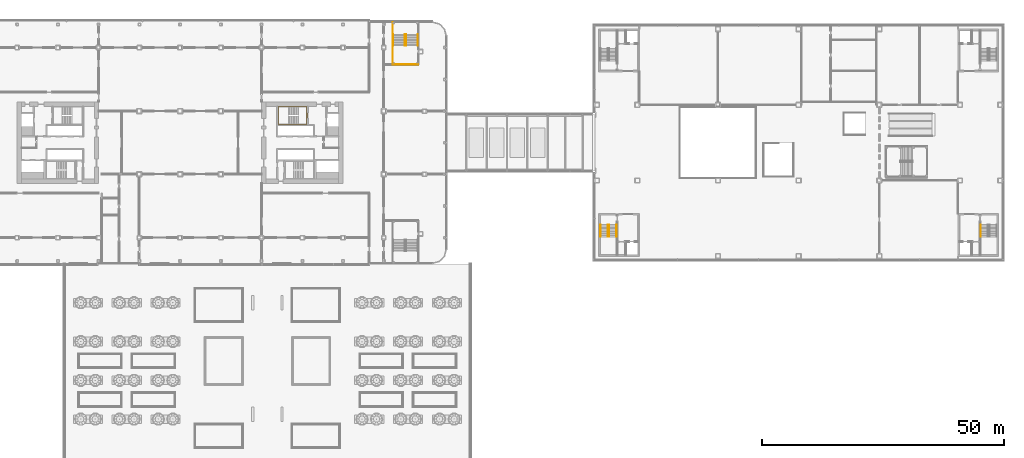
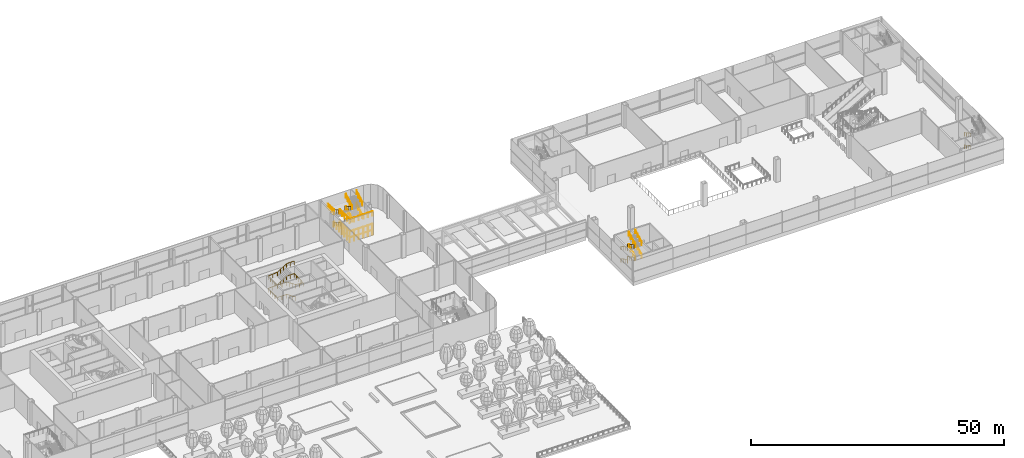
# One storey, part 89 of 100: 25 railings.
"""IFC4 building model written with IfcOpenShell, lengths in metres."""

import ifcopenshell
import ifcopenshell.guid

model = None  # the IFC model being written
_history = None  # IfcOwnerHistory: only IFC2X3 demands one
_inside = {}  # id of a spatial element -> (the spatial element, [elements in it])
_under = {}  # id of a project, library or spatial element -> (it, [spatial elements below it])
_declared = {}  # id of a project -> (the project, [libraries it declares])
_typed = {}  # id of a type object -> (the type object, [elements of that type])
_made_of = {}  # id of a material, layer set ... -> (it, [elements and type objects made of it])


def new_model(schema):
    """Start an empty IFC model of exactly this schema.

    Asked for "IFC4X3", IfcOpenShell would pick the latest addendum, in which some entities
    have other attributes; the version numbers below select the first issue.
    IFC2X3 requires an IfcOwnerHistory on every rooted entity: one is made here for all.
    """
    global model, _history
    if schema == "IFC4X3":
        model = ifcopenshell.file(schema_version=(4, 3, 0, 0))
    else:
        model = ifcopenshell.file(schema=schema)
    _inside.clear()
    _under.clear()
    _declared.clear()
    _typed.clear()
    _made_of.clear()
    _history = None
    if model.schema == "IFC2X3":
        org = make("IfcOrganization", Name="unknown")
        user = make(
            "IfcPersonAndOrganization",
            ThePerson=make("IfcPerson", FamilyName="unknown"),
            TheOrganization=org,
        )
        app = make(
            "IfcApplication",
            ApplicationDeveloper=org,
            Version="unknown",
            ApplicationFullName="unknown",
            ApplicationIdentifier="unknown",
        )
        _history = make(
            "IfcOwnerHistory",
            OwningUser=user,
            OwningApplication=app,
            ChangeAction="ADDED",
            CreationDate=0,
        )
    return model


def make(cls, **values):
    """One entity of the class cls with the attributes given. An attribute that is None is left unset."""
    return model.create_entity(
        cls, **{name: value for name, value in values.items() if value is not None}
    )


def rooted(cls, **values):
    """An entity with a GlobalId (a new one), such as an element, a storey or a relation."""
    return make(cls, GlobalId=ifcopenshell.guid.new(), OwnerHistory=_history, **values)


def si_unit(unit_type, name, prefix=None):
    """IfcSIUnit, for example si_unit("LENGTHUNIT", "METRE", prefix="MILLI")."""
    return make("IfcSIUnit", UnitType=unit_type, Prefix=prefix, Name=name)


def assignment(units):
    """IfcUnitAssignment: the units of a project."""
    return None if units is None else make("IfcUnitAssignment", Units=units)


def point(xyz):
    """IfcCartesianPoint."""
    return None if xyz is None else make("IfcCartesianPoint", Coordinates=xyz)


def direction(xyz):
    """IfcDirection."""
    return None if xyz is None else make("IfcDirection", DirectionRatios=xyz)


def frame(location, z_axis=None, x_axis=None):
    """IfcAxis2Placement3D, a coordinate frame: its origin and axes. An axis left out is left unset."""
    return make(
        "IfcAxis2Placement3D",
        Location=point(location),
        Axis=direction(z_axis),
        RefDirection=direction(x_axis),
    )


def frame_2d(location, x_axis=None):
    """IfcAxis2Placement2D, a coordinate frame in the plane: its origin and x axis."""
    return make(
        "IfcAxis2Placement2D", Location=point(location), RefDirection=direction(x_axis)
    )


def origin():
    """The frame at (0, 0, 0) with its axes left unset."""
    return frame((0.0, 0.0, 0.0))


def origin_2d():
    """The frame at (0, 0) in the plane with its x axis left unset."""
    return frame_2d((0.0, 0.0))


def place(relative_to, where):
    """IfcLocalPlacement: puts the frame where relative to a parent placement (None: the world)."""
    return make(
        "IfcLocalPlacement", PlacementRelTo=relative_to, RelativePlacement=where
    )


def context(
    kind, dimensions, precision=None, world=None, true_north=None, identifier=None
):
    """IfcGeometricRepresentationContext, for example the 3D "Model" context."""
    return make(
        "IfcGeometricRepresentationContext",
        ContextIdentifier=identifier,
        ContextType=kind,
        CoordinateSpaceDimension=dimensions,
        Precision=precision,
        WorldCoordinateSystem=world,
        TrueNorth=true_north,
    )


def subcontext(parent, identifier, kind, view, scale=None):
    """IfcGeometricRepresentationSubContext, for example "Body" below "Model"."""
    return make(
        "IfcGeometricRepresentationSubContext",
        ContextIdentifier=identifier,
        ContextType=kind,
        ParentContext=parent,
        TargetScale=scale,
        TargetView=view,
    )


def project(units=None, contexts=None):
    """IfcProject with its units and contexts."""
    return rooted(
        "IfcProject",
        Name="project",
        RepresentationContexts=contexts,
        UnitsInContext=assignment(units),
    )


def spatial(cls, under=None, at=None, **own):
    """A site, building, storey or space (cls), placed at a placement, below another one or the project."""
    s = rooted(cls, ObjectPlacement=at, **own)
    if under is not None:
        _under.setdefault(under.id(), (under, []))[1].append(s)
    return s


def profile(cls, at=None, kind="AREA", **sizes):
    """A parametric profile (cls). Its sizes go by their IFC names, for example OverallWidth=200.0."""
    return make(cls, ProfileType=kind, Position=at, **sizes)


def circle(**sizes):
    """IfcCircleProfileDef."""
    return profile("IfcCircleProfileDef", **sizes)


def extrude(swept, where, along, depth):
    """IfcExtrudedAreaSolid: the profile swept, set in the frame where, extruded along a direction by depth."""
    return make(
        "IfcExtrudedAreaSolid",
        SweptArea=swept,
        Position=where,
        ExtrudedDirection=direction(along),
        Depth=depth,
    )


def shape(context_of_items, identifier, shape_type, items):
    """IfcShapeRepresentation: the items that make up one representation, for example the "Body"."""
    return make(
        "IfcShapeRepresentation",
        ContextOfItems=context_of_items,
        RepresentationIdentifier=identifier,
        RepresentationType=shape_type,
        Items=items,
    )


def material(Name=None, Category=None):
    """IfcMaterial."""
    return make("IfcMaterial", Name=Name, Category=Category)


def made_of(thing, what):
    """Note that an element or type object is made of a material, layer set ...; save() writes the relation."""
    if what is not None:
        _made_of.setdefault(what.id(), (what, []))[1].append(thing)
    return thing


def type_object(cls, material=None, **own):
    """A type object (cls), such as IfcWallType, which elements share."""
    return made_of(rooted(cls, **own), material)


def element(
    cls,
    number,
    at=None,
    inside=None,
    cuts=None,
    type_object=None,
    material=None,
    context=None,
    identifier="Body",
    shape_type=None,
    held_by="IfcProductDefinitionShape",
    body=None,
    shapes=None,
    **own,
):
    """One element of the class cls, such as IfcWall. Its Tag is "e" and its number.

    at: its placement. inside: the storey or other place that contains it. cuts: it is an
    opening in that element (IfcRelVoidsElement). A single representation is given by context,
    identifier, shape_type and body (its items); several are given by shapes. held_by: the class
    of the entity that holds the representations. save() writes the other relations.
    """
    e = rooted(cls, Tag="e%d" % number, ObjectPlacement=at, **own)
    if body is not None:
        shapes = [shape(context, identifier, shape_type, body)]
    if shapes is not None:
        e.Representation = make(held_by, Representations=shapes)
    if inside is not None:
        _inside.setdefault(inside.id(), (inside, []))[1].append(e)
    if cuts is not None:
        rooted(
            "IfcRelVoidsElement", RelatingBuildingElement=cuts, RelatedOpeningElement=e
        )
    if type_object is not None:
        _typed.setdefault(type_object.id(), (type_object, []))[1].append(e)
    return made_of(e, material)


def aggregate(whole, parts):
    """IfcRelAggregates: a whole, such as a stair, and the parts it consists of."""
    return rooted("IfcRelAggregates", RelatingObject=whole, RelatedObjects=parts)


def save(model, path):
    """Write the relations noted so far, then the file.

    IfcRelAggregates (storeys below a building ...), IfcRelContainedInSpatialStructure (elements
    in a storey), IfcRelDefinesByType, IfcRelAssociatesMaterial and IfcRelDeclares: one each for
    every whole, place, type object, material and project.
    """
    for whole, parts in _under.values():
        aggregate(whole, parts)
    for where, things in _inside.values():
        rooted(
            "IfcRelContainedInSpatialStructure",
            RelatedElements=things,
            RelatingStructure=where,
        )
    for kind, things in _typed.values():
        rooted("IfcRelDefinesByType", RelatedObjects=things, RelatingType=kind)
    for what, things in _made_of.values():
        rooted("IfcRelAssociatesMaterial", RelatedObjects=things, RelatingMaterial=what)
    for by, libraries in _declared.values():
        rooted("IfcRelDeclares", RelatingContext=by, RelatedDefinitions=libraries)
    model.write(path)


model = new_model("IFC4")

# Units and contexts
model_context = context("Model", 3, precision=1e-05, world=origin(), true_north=direction((0.0, 1.0)))
body_context = subcontext(model_context, "Body", "Model", "MODEL_VIEW")
ifc_project = project(units=[si_unit("LENGTHUNIT", "METRE"), si_unit("AREAUNIT", "SQUARE_METRE"), si_unit("VOLUMEUNIT", "CUBIC_METRE"), si_unit("PLANEANGLEUNIT", "RADIAN"), si_unit("MASSUNIT", "GRAM", prefix="KILO")], contexts=[model_context])

# Site, building, storey
site_placement = place(None, origin())
site = spatial("IfcSite", under=ifc_project, at=site_placement, CompositionType="ELEMENT")
building_placement = place(site_placement, origin())
building = spatial("IfcBuilding", under=site, at=building_placement, Name="Hakoniwa Tower and Hamabe Station Hall", CompositionType="ELEMENT")
storey_placement = place(building_placement, frame((0.0, 0.0, 9.0)))
storey = spatial("IfcBuildingStorey", under=building, at=storey_placement, Name="L02", CompositionType="ELEMENT", Elevation=9.0)

# Railings
ifc_material_1 = material(Name="Stainless steel and glass", Category="steel")
railing_type_1 = type_object("IfcRailingType", Name="GUARD 1100", PredefinedType="GUARDRAIL", material=ifc_material_1)
railing_1_placement = place(storey_placement, frame((43.85009765625, 20.010009765625, 1.5)))
element("IfcRailing", 1, at=railing_1_placement, inside=storey, type_object=railing_type_1, Name="Guard at landing PS2 1", PredefinedType="GUARDRAIL", context=body_context, shape_type="SweptSolid", body=[
    extrude(circle(Radius=0.02392578125, at=origin_2d()), frame((0.0, 0.0, 1.076171875), z_axis=(0.0, -1.0, 0.0), x_axis=(1.0, 0.0, 0.0)), (0.0, 0.0, 1.0), 3.860107421875),
    extrude(circle(Radius=0.02099609375, at=origin_2d()), origin(), (0.0, 0.0, 1.0), 1.052001953125),
    extrude(circle(Radius=0.02099609375, at=origin_2d()), frame((0.0, -0.965087890625, 0.0)), (0.0, 0.0, 1.0), 1.052001953125),
    extrude(circle(Radius=0.02099609375, at=origin_2d()), frame((0.0, -1.93017578125, 0.0)), (0.0, 0.0, 1.0), 1.052001953125),
    extrude(circle(Radius=0.02099609375, at=origin_2d()), frame((0.0, -2.89501953125, 0.0)), (0.0, 0.0, 1.0), 1.052001953125),
    extrude(circle(Radius=0.02099609375, at=origin_2d()), frame((0.0, -3.860107421875, 0.0)), (0.0, 0.0, 1.0), 1.052001953125),
])
railing_2_placement = place(storey_placement, frame((43.85009765625, 16.14990234375, 1.5)))
element("IfcRailing", 2, at=railing_2_placement, inside=storey, type_object=railing_type_1, Name="Guard at landing PS2 2", PredefinedType="GUARDRAIL", context=body_context, shape_type="SweptSolid", body=[
    extrude(circle(Radius=0.02392578125, at=origin_2d()), frame((0.0, 0.0, 1.076171875), z_axis=(1.0, 0.0, 0.0), x_axis=(0.0, 1.0, 0.0)), (0.0, 0.0, 1.0), 5.199951171875),
    extrude(circle(Radius=0.02099609375, at=origin_2d()), origin(), (0.0, 0.0, 1.0), 1.052001953125),
    extrude(circle(Radius=0.02099609375, at=origin_2d()), frame((1.0400390625, 0.0, 0.0)), (0.0, 0.0, 1.0), 1.052001953125),
    extrude(circle(Radius=0.02099609375, at=origin_2d()), frame((2.080078125, 0.0, 0.0)), (0.0, 0.0, 1.0), 1.052001953125),
    extrude(circle(Radius=0.02099609375, at=origin_2d()), frame((3.119873046875, 0.0, 0.0)), (0.0, 0.0, 1.0), 1.052001953125),
    extrude(circle(Radius=0.02099609375, at=origin_2d()), frame((4.159912109375, 0.0, 0.0)), (0.0, 0.0, 1.0), 1.052001953125),
    extrude(circle(Radius=0.02099609375, at=origin_2d()), frame((5.199951171875, 0.0, 0.0)), (0.0, 0.0, 1.0), 1.052001953125),
])
railing_3_placement = place(storey_placement, frame((43.85009765625, 24.85009765625, 3.0)))
element("IfcRailing", 3, at=railing_3_placement, inside=storey, type_object=railing_type_1, Name="Guard at landing PS2 3", PredefinedType="GUARDRAIL", context=body_context, shape_type="SweptSolid", body=[
    extrude(circle(Radius=0.02392578125, at=origin_2d()), frame((0.0, 0.0, 1.076171875), z_axis=(0.0, -1.0, 0.0), x_axis=(1.0, 0.0, 0.0)), (0.0, 0.0, 1.0), 2.5),
    extrude(circle(Radius=0.02099609375, at=origin_2d()), origin(), (0.0, 0.0, 1.0), 1.052001953125),
    extrude(circle(Radius=0.02099609375, at=origin_2d()), frame((0.0, -0.833251953125, 0.0)), (0.0, 0.0, 1.0), 1.052001953125),
    extrude(circle(Radius=0.02099609375, at=origin_2d()), frame((0.0, -1.666748046875, 0.0)), (0.0, 0.0, 1.0), 1.052001953125),
    extrude(circle(Radius=0.02099609375, at=origin_2d()), frame((0.0, -2.5, 0.0)), (0.0, 0.0, 1.0), 1.052001953125),
])
railing_4_placement = place(storey_placement, frame((43.85009765625, 20.010009765625, 4.5)))
element("IfcRailing", 4, at=railing_4_placement, inside=storey, type_object=railing_type_1, Name="Guard at landing PS2 4", PredefinedType="GUARDRAIL", context=body_context, shape_type="SweptSolid", body=[
    extrude(circle(Radius=0.02392578125, at=origin_2d()), frame((0.0, 0.0, 1.076171875), z_axis=(0.0, -1.0, 0.0), x_axis=(1.0, 0.0, 0.0)), (0.0, 0.0, 1.0), 3.860107421875),
    extrude(circle(Radius=0.02099609375, at=origin_2d()), origin(), (0.0, 0.0, 1.0), 1.052001953125),
    extrude(circle(Radius=0.02099609375, at=origin_2d()), frame((0.0, -0.965087890625, 0.0)), (0.0, 0.0, 1.0), 1.052001953125),
    extrude(circle(Radius=0.02099609375, at=origin_2d()), frame((0.0, -1.93017578125, 0.0)), (0.0, 0.0, 1.0), 1.052001953125),
    extrude(circle(Radius=0.02099609375, at=origin_2d()), frame((0.0, -2.89501953125, 0.0)), (0.0, 0.0, 1.0), 1.052001953125),
    extrude(circle(Radius=0.02099609375, at=origin_2d()), frame((0.0, -3.860107421875, 0.0)), (0.0, 0.0, 1.0), 1.052001953125),
])
railing_5_placement = place(storey_placement, frame((43.85009765625, 16.14990234375, 4.5)))
element("IfcRailing", 5, at=railing_5_placement, inside=storey, type_object=railing_type_1, Name="Guard at landing PS2 5", PredefinedType="GUARDRAIL", context=body_context, shape_type="SweptSolid", body=[
    extrude(circle(Radius=0.02392578125, at=origin_2d()), frame((0.0, 0.0, 1.076171875), z_axis=(1.0, 0.0, 0.0), x_axis=(0.0, 1.0, 0.0)), (0.0, 0.0, 1.0), 5.199951171875),
    extrude(circle(Radius=0.02099609375, at=origin_2d()), origin(), (0.0, 0.0, 1.0), 1.052001953125),
    extrude(circle(Radius=0.02099609375, at=origin_2d()), frame((1.0400390625, 0.0, 0.0)), (0.0, 0.0, 1.0), 1.052001953125),
    extrude(circle(Radius=0.02099609375, at=origin_2d()), frame((2.080078125, 0.0, 0.0)), (0.0, 0.0, 1.0), 1.052001953125),
    extrude(circle(Radius=0.02099609375, at=origin_2d()), frame((3.119873046875, 0.0, 0.0)), (0.0, 0.0, 1.0), 1.052001953125),
    extrude(circle(Radius=0.02099609375, at=origin_2d()), frame((4.159912109375, 0.0, 0.0)), (0.0, 0.0, 1.0), 1.052001953125),
    extrude(circle(Radius=0.02099609375, at=origin_2d()), frame((5.199951171875, 0.0, 0.0)), (0.0, 0.0, 1.0), 1.052001953125),
])
railing_6_placement = place(storey_placement, frame((43.85009765625, 22.340087890625, 0.0)))
element("IfcRailing", 6, at=railing_6_placement, inside=storey, type_object=railing_type_1, Name="Guard at stair well PS2", PredefinedType="GUARDRAIL", context=body_context, shape_type="SweptSolid", body=[
    extrude(circle(Radius=0.02392578125, at=origin_2d()), frame((0.0, 0.0, 1.076171875), z_axis=(0.0, -1.0, 0.0), x_axis=(1.0, 0.0, 0.0)), (0.0, 0.0, 1.0), 6.190185546875),
    extrude(circle(Radius=0.02392578125, at=origin_2d()), frame((0.0, -6.190185546875, 1.076171875), z_axis=(1.0, 0.0, 0.0), x_axis=(0.0, 1.0, 0.0)), (0.0, 0.0, 1.0), 5.199951171875),
    extrude(circle(Radius=0.02099609375, at=origin_2d()), origin(), (0.0, 0.0, 1.0), 1.052001953125),
    extrude(circle(Radius=0.02099609375, at=origin_2d()), frame((0.0, -1.03173828125, 0.0)), (0.0, 0.0, 1.0), 1.052001953125),
    extrude(circle(Radius=0.02099609375, at=origin_2d()), frame((0.0, -2.0634765625, 0.0)), (0.0, 0.0, 1.0), 1.052001953125),
    extrude(circle(Radius=0.02099609375, at=origin_2d()), frame((0.0, -3.09521484375, 0.0)), (0.0, 0.0, 1.0), 1.052001953125),
    extrude(circle(Radius=0.02099609375, at=origin_2d()), frame((0.0, -4.126708984375, 0.0)), (0.0, 0.0, 1.0), 1.052001953125),
    extrude(circle(Radius=0.02099609375, at=origin_2d()), frame((0.0, -5.158447265625, 0.0)), (0.0, 0.0, 1.0), 1.052001953125),
    extrude(circle(Radius=0.02099609375, at=origin_2d()), frame((0.0, -6.190185546875, 0.0)), (0.0, 0.0, 1.0), 1.052001953125),
    extrude(circle(Radius=0.02099609375, at=origin_2d()), frame((1.0400390625, -6.190185546875, 0.0)), (0.0, 0.0, 1.0), 1.052001953125),
    extrude(circle(Radius=0.02099609375, at=origin_2d()), frame((2.080078125, -6.190185546875, 0.0)), (0.0, 0.0, 1.0), 1.052001953125),
    extrude(circle(Radius=0.02099609375, at=origin_2d()), frame((3.119873046875, -6.190185546875, 0.0)), (0.0, 0.0, 1.0), 1.052001953125),
    extrude(circle(Radius=0.02099609375, at=origin_2d()), frame((4.159912109375, -6.190185546875, 0.0)), (0.0, 0.0, 1.0), 1.052001953125),
    extrude(circle(Radius=0.02099609375, at=origin_2d()), frame((5.199951171875, -6.190185546875, 0.0)), (0.0, 0.0, 1.0), 1.052001953125),
])
ifc_material_2 = material(Name="Stainless steel SUS304", Category="steel")
railing_type_2 = type_object("IfcRailingType", Name="HANDRAIL 900", PredefinedType="HANDRAIL", material=ifc_material_2)
for number, where, name in (
    (7, (43.89990234375, 22.35009765625, 0.14990234375), "Handrail PS2 1"),
    (8, (46.300048828125, 22.35009765625, 0.14990234375), "Handrail PS2 2"),
):
    element("IfcRailing", number, at=place(storey_placement, frame(where)), inside=storey, type_object=railing_type_2, Name=name, PredefinedType="HANDRAIL", context=body_context, shape_type="SweptSolid", body=[
        extrude(circle(Radius=0.02392578125, at=origin_2d()), frame((0.0, 0.0, 0.8759765625), z_axis=(0.0, -0.866178063635, 0.499735492113), x_axis=(1.0, 0.0, 0.0)), (0.0, 0.0, 1.0), 2.70166015625),
        extrude(circle(Radius=0.02099609375, at=origin_2d()), origin(), (0.0, 0.0, 1.0), 0.851806640625),
        extrude(circle(Radius=0.02099609375, at=origin_2d()), frame((0.0, -0.780029296875, 0.449951171875)), (0.0, 0.0, 1.0), 0.851806640625),
        extrude(circle(Radius=0.02099609375, at=origin_2d()), frame((0.0, -1.56005859375, 0.900146484375)), (0.0, 0.0, 1.0), 0.851806640625),
        extrude(circle(Radius=0.02099609375, at=origin_2d()), frame((0.0, -2.340087890625, 1.35009765625)), (0.0, 0.0, 1.0), 0.851806640625),
    ])
for number, where, name in (
    (9, (46.60009765625, 20.010009765625, 1.64990234375), "Handrail PS2 3"),
    (10, (49.0, 20.010009765625, 1.64990234375), "Handrail PS2 4"),
):
    element("IfcRailing", number, at=place(storey_placement, frame(where)), inside=storey, type_object=railing_type_2, Name=name, PredefinedType="HANDRAIL", context=body_context, shape_type="SweptSolid", body=[
        extrude(circle(Radius=0.02392578125, at=origin_2d()), frame((0.0, 0.0, 0.8759765625), z_axis=(0.0, 0.866178063635, 0.499735492113), x_axis=(-1.0, 0.0, 0.0)), (0.0, 0.0, 1.0), 2.70166015625),
        extrude(circle(Radius=0.02099609375, at=origin_2d()), origin(), (0.0, 0.0, 1.0), 0.851806640625),
        extrude(circle(Radius=0.02099609375, at=origin_2d()), frame((0.0, 0.780029296875, 0.449951171875)), (0.0, 0.0, 1.0), 0.851806640625),
        extrude(circle(Radius=0.02099609375, at=origin_2d()), frame((0.0, 1.56005859375, 0.900146484375)), (0.0, 0.0, 1.0), 0.851806640625),
        extrude(circle(Radius=0.02099609375, at=origin_2d()), frame((0.0, 2.340087890625, 1.35009765625)), (0.0, 0.0, 1.0), 0.851806640625),
    ])
for number, where, name in (
    (11, (43.89990234375, 22.35009765625, 3.14990234375), "Handrail PS2 5"),
    (12, (46.300048828125, 22.35009765625, 3.14990234375), "Handrail PS2 6"),
):
    element("IfcRailing", number, at=place(storey_placement, frame(where)), inside=storey, type_object=railing_type_2, Name=name, PredefinedType="HANDRAIL", context=body_context, shape_type="SweptSolid", body=[
        extrude(circle(Radius=0.02392578125, at=origin_2d()), frame((0.0, 0.0, 0.8759765625), z_axis=(0.0, -0.866178063635, 0.499735492113), x_axis=(1.0, 0.0, 0.0)), (0.0, 0.0, 1.0), 2.70166015625),
        extrude(circle(Radius=0.02099609375, at=origin_2d()), origin(), (0.0, 0.0, 1.0), 0.851806640625),
        extrude(circle(Radius=0.02099609375, at=origin_2d()), frame((0.0, -0.780029296875, 0.449951171875)), (0.0, 0.0, 1.0), 0.851806640625),
        extrude(circle(Radius=0.02099609375, at=origin_2d()), frame((0.0, -1.56005859375, 0.900146484375)), (0.0, 0.0, 1.0), 0.851806640625),
        extrude(circle(Radius=0.02099609375, at=origin_2d()), frame((0.0, -2.340087890625, 1.35009765625)), (0.0, 0.0, 1.0), 0.851806640625),
    ])
for number, where, name in (
    (13, (46.60009765625, 20.010009765625, 4.64990234375), "Handrail PS2 7"),
    (14, (49.0, 20.010009765625, 4.64990234375), "Handrail PS2 8"),
):
    element("IfcRailing", number, at=place(storey_placement, frame(where)), inside=storey, type_object=railing_type_2, Name=name, PredefinedType="HANDRAIL", context=body_context, shape_type="SweptSolid", body=[
        extrude(circle(Radius=0.02392578125, at=origin_2d()), frame((0.0, 0.0, 0.8759765625), z_axis=(0.0, 0.866178063635, 0.499735492113), x_axis=(-1.0, 0.0, 0.0)), (0.0, 0.0, 1.0), 2.70166015625),
        extrude(circle(Radius=0.02099609375, at=origin_2d()), origin(), (0.0, 0.0, 1.0), 0.851806640625),
        extrude(circle(Radius=0.02099609375, at=origin_2d()), frame((0.0, 0.780029296875, 0.449951171875)), (0.0, 0.0, 1.0), 0.851806640625),
        extrude(circle(Radius=0.02099609375, at=origin_2d()), frame((0.0, 1.56005859375, 0.900146484375)), (0.0, 0.0, 1.0), 0.851806640625),
        extrude(circle(Radius=0.02099609375, at=origin_2d()), frame((0.0, 2.340087890625, 1.35009765625)), (0.0, 0.0, 1.0), 0.851806640625),
    ])
for number, where, name in (
    (15, (86.699951171875, -16.89990234375, 0.14990234375), "Handrail SS3 1"),
    (16, (88.199951171875, -16.89990234375, 0.14990234375), "Handrail SS3 2"),
):
    element("IfcRailing", number, at=place(storey_placement, frame(where)), inside=storey, type_object=railing_type_2, Name=name, PredefinedType="HANDRAIL", context=body_context, shape_type="SweptSolid", body=[
        extrude(circle(Radius=0.02392578125, at=origin_2d()), frame((0.0, 0.0, 0.8759765625), z_axis=(0.0, -0.881467274426, 0.472245110209), x_axis=(1.0, 0.0, 0.0)), (0.0, 0.0, 1.0), 2.85888671875),
        extrude(circle(Radius=0.02099609375, at=origin_2d()), origin(), (0.0, 0.0, 1.0), 0.851806640625),
        extrude(circle(Radius=0.02099609375, at=origin_2d()), frame((0.0, -0.840087890625, 0.449951171875)), (0.0, 0.0, 1.0), 0.851806640625),
        extrude(circle(Radius=0.02099609375, at=origin_2d()), frame((0.0, -1.679931640625, 0.900146484375)), (0.0, 0.0, 1.0), 0.851806640625),
        extrude(circle(Radius=0.02099609375, at=origin_2d()), frame((0.0, -2.52001953125, 1.35009765625)), (0.0, 0.0, 1.0), 0.851806640625),
    ])
for number, where, name in (
    (17, (88.5, -19.419921875, 1.64990234375), "Handrail SS3 3"),
    (18, (90.0, -19.419921875, 1.64990234375), "Handrail SS3 4"),
):
    element("IfcRailing", number, at=place(storey_placement, frame(where)), inside=storey, type_object=railing_type_2, Name=name, PredefinedType="HANDRAIL", context=body_context, shape_type="SweptSolid", body=[
        extrude(circle(Radius=0.02392578125, at=origin_2d()), frame((0.0, 0.0, 0.8759765625), z_axis=(0.0, 0.881467274426, 0.472245110209), x_axis=(-1.0, 0.0, 0.0)), (0.0, 0.0, 1.0), 2.85888671875),
        extrude(circle(Radius=0.02099609375, at=origin_2d()), origin(), (0.0, 0.0, 1.0), 0.851806640625),
        extrude(circle(Radius=0.02099609375, at=origin_2d()), frame((0.0, 0.840087890625, 0.449951171875)), (0.0, 0.0, 1.0), 0.851806640625),
        extrude(circle(Radius=0.02099609375, at=origin_2d()), frame((0.0, 1.679931640625, 0.900146484375)), (0.0, 0.0, 1.0), 0.851806640625),
        extrude(circle(Radius=0.02099609375, at=origin_2d()), frame((0.0, 2.52001953125, 1.35009765625)), (0.0, 0.0, 1.0), 0.851806640625),
    ])
for number, where, name in (
    (19, (86.699951171875, -16.89990234375, 3.14990234375), "Handrail SS3 5"),
    (20, (88.199951171875, -16.89990234375, 3.14990234375), "Handrail SS3 6"),
):
    element("IfcRailing", number, at=place(storey_placement, frame(where)), inside=storey, type_object=railing_type_2, Name=name, PredefinedType="HANDRAIL", context=body_context, shape_type="SweptSolid", body=[
        extrude(circle(Radius=0.02392578125, at=origin_2d()), frame((0.0, 0.0, 0.8759765625), z_axis=(0.0, -0.881467274426, 0.472245110209), x_axis=(1.0, 0.0, 0.0)), (0.0, 0.0, 1.0), 2.85888671875),
        extrude(circle(Radius=0.02099609375, at=origin_2d()), origin(), (0.0, 0.0, 1.0), 0.851806640625),
        extrude(circle(Radius=0.02099609375, at=origin_2d()), frame((0.0, -0.840087890625, 0.449951171875)), (0.0, 0.0, 1.0), 0.851806640625),
        extrude(circle(Radius=0.02099609375, at=origin_2d()), frame((0.0, -1.679931640625, 0.900146484375)), (0.0, 0.0, 1.0), 0.851806640625),
        extrude(circle(Radius=0.02099609375, at=origin_2d()), frame((0.0, -2.52001953125, 1.35009765625)), (0.0, 0.0, 1.0), 0.851806640625),
    ])
for number, where, name in (
    (21, (88.5, -19.419921875, 4.64990234375), "Handrail SS3 7"),
    (22, (90.0, -19.419921875, 4.64990234375), "Handrail SS3 8"),
):
    element("IfcRailing", number, at=place(storey_placement, frame(where)), inside=storey, type_object=railing_type_2, Name=name, PredefinedType="HANDRAIL", context=body_context, shape_type="SweptSolid", body=[
        extrude(circle(Radius=0.02392578125, at=origin_2d()), frame((0.0, 0.0, 0.8759765625), z_axis=(0.0, 0.881467274426, 0.472245110209), x_axis=(-1.0, 0.0, 0.0)), (0.0, 0.0, 1.0), 2.85888671875),
        extrude(circle(Radius=0.02099609375, at=origin_2d()), origin(), (0.0, 0.0, 1.0), 0.851806640625),
        extrude(circle(Radius=0.02099609375, at=origin_2d()), frame((0.0, 0.840087890625, 0.449951171875)), (0.0, 0.0, 1.0), 0.851806640625),
        extrude(circle(Radius=0.02099609375, at=origin_2d()), frame((0.0, 1.679931640625, 0.900146484375)), (0.0, 0.0, 1.0), 0.851806640625),
        extrude(circle(Radius=0.02099609375, at=origin_2d()), frame((0.0, 2.52001953125, 1.35009765625)), (0.0, 0.0, 1.0), 0.851806640625),
    ])
for number, where, name in (
    (23, (165.10009765625, -16.89990234375, 0.14990234375), "Handrail SS4 1"),
    (24, (165.10009765625, -16.89990234375, 3.14990234375), "Handrail SS4 5"),
):
    element("IfcRailing", number, at=place(storey_placement, frame(where)), inside=storey, type_object=railing_type_2, Name=name, PredefinedType="HANDRAIL", context=body_context, shape_type="SweptSolid", body=[
        extrude(circle(Radius=0.02392578125, at=origin_2d()), frame((0.0, 0.0, 0.8759765625), z_axis=(0.0, -0.881467274426, 0.472245110209), x_axis=(1.0, 0.0, 0.0)), (0.0, 0.0, 1.0), 2.85888671875),
        extrude(circle(Radius=0.02099609375, at=origin_2d()), origin(), (0.0, 0.0, 1.0), 0.851806640625),
        extrude(circle(Radius=0.02099609375, at=origin_2d()), frame((0.0, -0.840087890625, 0.449951171875)), (0.0, 0.0, 1.0), 0.851806640625),
        extrude(circle(Radius=0.02099609375, at=origin_2d()), frame((0.0, -1.679931640625, 0.900146484375)), (0.0, 0.0, 1.0), 0.851806640625),
        extrude(circle(Radius=0.02099609375, at=origin_2d()), frame((0.0, -2.52001953125, 1.35009765625)), (0.0, 0.0, 1.0), 0.851806640625),
    ])
ifc_material_3 = material(Name="Stainless steel SUS304", Category="steel")
railing_type_3 = type_object("IfcRailingType", Name="STAIR HANDRAIL 900", PredefinedType="HANDRAIL", material=ifc_material_3)
railing_7_placement = place(storey_placement, frame((24.39990234375, 3.81005859375, 0.166748046875)))
element("IfcRailing", 25, at=railing_7_placement, inside=storey, type_object=railing_type_3, Name="Handrail ST-3 L02 1", PredefinedType="HANDRAIL", context=body_context, shape_type="SweptSolid", body=[
    extrude(circle(Radius=0.02392578125, at=origin_2d()), frame((0.0, 0.0, 0.8759765625), z_axis=(-0.84187453394, 0.0, 0.539673298491), x_axis=(0.0, -1.0, 0.0)), (0.0, 0.0, 1.0), 2.470458984375),
    extrude(circle(Radius=0.02392578125, at=origin_2d()), frame((-2.079833984375, 0.0, 2.208984375), z_axis=(-1.0, 0.0, 0.0), x_axis=(0.0, -1.0, 0.0)), (0.0, 0.0, 1.0), 2.110107421875),
    extrude(circle(Radius=0.02392578125, at=origin_2d()), frame((-4.18994140625, 0.0, 2.208984375), z_axis=(0.0, 1.0, 0.0), x_axis=(-1.0, 0.0, 0.0)), (0.0, 0.0, 1.0), 3.6298828125),
    extrude(circle(Radius=0.02392578125, at=origin_2d()), frame((-4.18994140625, 3.6298828125, 2.208984375), z_axis=(0.996892192206, 0.0, 0.078777897406), x_axis=(0.0, 1.0, 0.0)), (0.0, 0.0, 1.0), 2.11669921875),
    extrude(circle(Radius=0.02392578125, at=origin_2d()), frame((-2.079833984375, 3.6298828125, 2.3759765625), z_axis=(0.84187453394, 0.0, 0.539673298491), x_axis=(0.0, 1.0, 0.0)), (0.0, 0.0, 1.0), 2.470458984375),
    extrude(circle(Radius=0.02392578125, at=origin_2d()), frame((0.0, 3.6298828125, 3.708984375), z_axis=(1.0, 0.0, 0.0), x_axis=(0.0, 1.0, 0.0)), (0.0, 0.0, 1.0), 1.739990234375),
    extrude(circle(Radius=0.02392578125, at=origin_2d()), frame((1.739990234375, 3.6298828125, 3.708984375), z_axis=(0.0, -1.0, 0.0), x_axis=(1.0, 0.0, 0.0)), (0.0, 0.0, 1.0), 3.6298828125),
    extrude(circle(Radius=0.02392578125, at=origin_2d()), frame((1.739990234375, 0.0, 3.708984375), z_axis=(-0.995439431117, 0.0, 0.09539569685), x_axis=(0.0, -1.0, 0.0)), (0.0, 0.0, 1.0), 1.748046875),
    extrude(circle(Radius=0.02392578125, at=origin_2d()), frame((0.0, 0.0, 3.8759765625), z_axis=(-0.84187453394, 0.0, 0.539673298491), x_axis=(0.0, -1.0, 0.0)), (0.0, 0.0, 1.0), 2.470458984375),
    extrude(circle(Radius=0.02392578125, at=origin_2d()), frame((-2.079833984375, 0.0, 5.208984375), z_axis=(-1.0, 0.0, 0.0), x_axis=(0.0, -1.0, 0.0)), (0.0, 0.0, 1.0), 2.110107421875),
    extrude(circle(Radius=0.02392578125, at=origin_2d()), frame((-4.18994140625, 0.0, 5.208984375), z_axis=(0.0, 1.0, 0.0), x_axis=(-1.0, 0.0, 0.0)), (0.0, 0.0, 1.0), 3.6298828125),
    extrude(circle(Radius=0.02392578125, at=origin_2d()), frame((-4.18994140625, 3.6298828125, 5.208984375), z_axis=(0.996892192206, 0.0, 0.078777897406), x_axis=(0.0, 1.0, 0.0)), (0.0, 0.0, 1.0), 2.11669921875),
    extrude(circle(Radius=0.02392578125, at=origin_2d()), frame((-2.079833984375, 3.6298828125, 5.3759765625), z_axis=(0.84187453394, 0.0, 0.539673298491), x_axis=(0.0, 1.0, 0.0)), (0.0, 0.0, 1.0), 2.470458984375),
    extrude(circle(Radius=0.02392578125, at=origin_2d()), frame((0.0, 3.6298828125, 6.708984375), z_axis=(1.0, 0.0, 0.0), x_axis=(0.0, 1.0, 0.0)), (0.0, 0.0, 1.0), 1.739990234375),
    extrude(circle(Radius=0.02099609375, at=origin_2d()), origin(), (0.0, 0.0, 1.0), 0.851806640625),
    extrude(circle(Radius=0.02099609375, at=origin_2d()), frame((-0.693359375, 0.0, 0.4443359375)), (0.0, 0.0, 1.0), 0.851806640625),
    extrude(circle(Radius=0.02099609375, at=origin_2d()), frame((-1.386474609375, 0.0, 0.888916015625)), (0.0, 0.0, 1.0), 0.851806640625),
    extrude(circle(Radius=0.02099609375, at=origin_2d()), frame((-2.079833984375, 0.0, 1.333251953125)), (0.0, 0.0, 1.0), 0.851806640625),
    extrude(circle(Radius=0.02099609375, at=origin_2d()), frame((-3.134765625, 0.0, 1.333251953125)), (0.0, 0.0, 1.0), 0.851806640625),
    extrude(circle(Radius=0.02099609375, at=origin_2d()), frame((-4.18994140625, 0.0, 1.333251953125)), (0.0, 0.0, 1.0), 0.851806640625),
    extrude(circle(Radius=0.02099609375, at=origin_2d()), frame((-4.18994140625, 0.907470703125, 1.333251953125)), (0.0, 0.0, 1.0), 0.851806640625),
    extrude(circle(Radius=0.02099609375, at=origin_2d()), frame((-4.18994140625, 1.81494140625, 1.333251953125)), (0.0, 0.0, 1.0), 0.851806640625),
    extrude(circle(Radius=0.02099609375, at=origin_2d()), frame((-4.18994140625, 2.722412109375, 1.333251953125)), (0.0, 0.0, 1.0), 0.851806640625),
    extrude(circle(Radius=0.02099609375, at=origin_2d()), frame((-4.18994140625, 3.6298828125, 1.333251953125)), (0.0, 0.0, 1.0), 0.851806640625),
    extrude(circle(Radius=0.02099609375, at=origin_2d()), frame((-3.134765625, 3.6298828125, 1.41650390625)), (0.0, 0.0, 1.0), 0.851806640625),
    extrude(circle(Radius=0.02099609375, at=origin_2d()), frame((-2.079833984375, 3.6298828125, 1.5)), (0.0, 0.0, 1.0), 0.851806640625),
    extrude(circle(Radius=0.02099609375, at=origin_2d()), frame((-1.386474609375, 3.6298828125, 1.9443359375)), (0.0, 0.0, 1.0), 0.851806640625),
    extrude(circle(Radius=0.02099609375, at=origin_2d()), frame((-0.693359375, 3.6298828125, 2.388916015625)), (0.0, 0.0, 1.0), 0.851806640625),
    extrude(circle(Radius=0.02099609375, at=origin_2d()), frame((0.0, 3.6298828125, 2.833251953125)), (0.0, 0.0, 1.0), 0.851806640625),
    extrude(circle(Radius=0.02099609375, at=origin_2d()), frame((0.8701171875, 3.6298828125, 2.833251953125)), (0.0, 0.0, 1.0), 0.851806640625),
    extrude(circle(Radius=0.02099609375, at=origin_2d()), frame((1.739990234375, 3.6298828125, 2.833251953125)), (0.0, 0.0, 1.0), 0.851806640625),
    extrude(circle(Radius=0.02099609375, at=origin_2d()), frame((1.739990234375, 2.722412109375, 2.833251953125)), (0.0, 0.0, 1.0), 0.851806640625),
    extrude(circle(Radius=0.02099609375, at=origin_2d()), frame((1.739990234375, 1.81494140625, 2.833251953125)), (0.0, 0.0, 1.0), 0.851806640625),
    extrude(circle(Radius=0.02099609375, at=origin_2d()), frame((1.739990234375, 0.907470703125, 2.833251953125)), (0.0, 0.0, 1.0), 0.851806640625),
    extrude(circle(Radius=0.02099609375, at=origin_2d()), frame((1.739990234375, 0.0, 2.833251953125)), (0.0, 0.0, 1.0), 0.851806640625),
    extrude(circle(Radius=0.02099609375, at=origin_2d()), frame((0.8701171875, 0.0, 2.91650390625)), (0.0, 0.0, 1.0), 0.851806640625),
    extrude(circle(Radius=0.02099609375, at=origin_2d()), frame((0.0, 0.0, 3.0)), (0.0, 0.0, 1.0), 0.851806640625),
    extrude(circle(Radius=0.02099609375, at=origin_2d()), frame((-0.693359375, 0.0, 3.4443359375)), (0.0, 0.0, 1.0), 0.851806640625),
    extrude(circle(Radius=0.02099609375, at=origin_2d()), frame((-1.386474609375, 0.0, 3.888916015625)), (0.0, 0.0, 1.0), 0.851806640625),
    extrude(circle(Radius=0.02099609375, at=origin_2d()), frame((-2.079833984375, 0.0, 4.333251953125)), (0.0, 0.0, 1.0), 0.851806640625),
    extrude(circle(Radius=0.02099609375, at=origin_2d()), frame((-3.134765625, 0.0, 4.333251953125)), (0.0, 0.0, 1.0), 0.851806640625),
    extrude(circle(Radius=0.02099609375, at=origin_2d()), frame((-4.18994140625, 0.0, 4.333251953125)), (0.0, 0.0, 1.0), 0.851806640625),
    extrude(circle(Radius=0.02099609375, at=origin_2d()), frame((-4.18994140625, 0.907470703125, 4.333251953125)), (0.0, 0.0, 1.0), 0.851806640625),
    extrude(circle(Radius=0.02099609375, at=origin_2d()), frame((-4.18994140625, 1.81494140625, 4.333251953125)), (0.0, 0.0, 1.0), 0.851806640625),
    extrude(circle(Radius=0.02099609375, at=origin_2d()), frame((-4.18994140625, 2.722412109375, 4.333251953125)), (0.0, 0.0, 1.0), 0.851806640625),
    extrude(circle(Radius=0.02099609375, at=origin_2d()), frame((-4.18994140625, 3.6298828125, 4.333251953125)), (0.0, 0.0, 1.0), 0.851806640625),
    extrude(circle(Radius=0.02099609375, at=origin_2d()), frame((-3.134765625, 3.6298828125, 4.41650390625)), (0.0, 0.0, 1.0), 0.851806640625),
    extrude(circle(Radius=0.02099609375, at=origin_2d()), frame((-2.079833984375, 3.6298828125, 4.5)), (0.0, 0.0, 1.0), 0.851806640625),
    extrude(circle(Radius=0.02099609375, at=origin_2d()), frame((-1.386474609375, 3.6298828125, 4.9443359375)), (0.0, 0.0, 1.0), 0.851806640625),
    extrude(circle(Radius=0.02099609375, at=origin_2d()), frame((-0.693359375, 3.6298828125, 5.388916015625)), (0.0, 0.0, 1.0), 0.851806640625),
    extrude(circle(Radius=0.02099609375, at=origin_2d()), frame((0.0, 3.6298828125, 5.833251953125)), (0.0, 0.0, 1.0), 0.851806640625),
    extrude(circle(Radius=0.02099609375, at=origin_2d()), frame((0.8701171875, 3.6298828125, 5.833251953125)), (0.0, 0.0, 1.0), 0.851806640625),
    extrude(circle(Radius=0.02099609375, at=origin_2d()), frame((1.739990234375, 3.6298828125, 5.833251953125)), (0.0, 0.0, 1.0), 0.851806640625),
])

save(model, "model.ifc")
